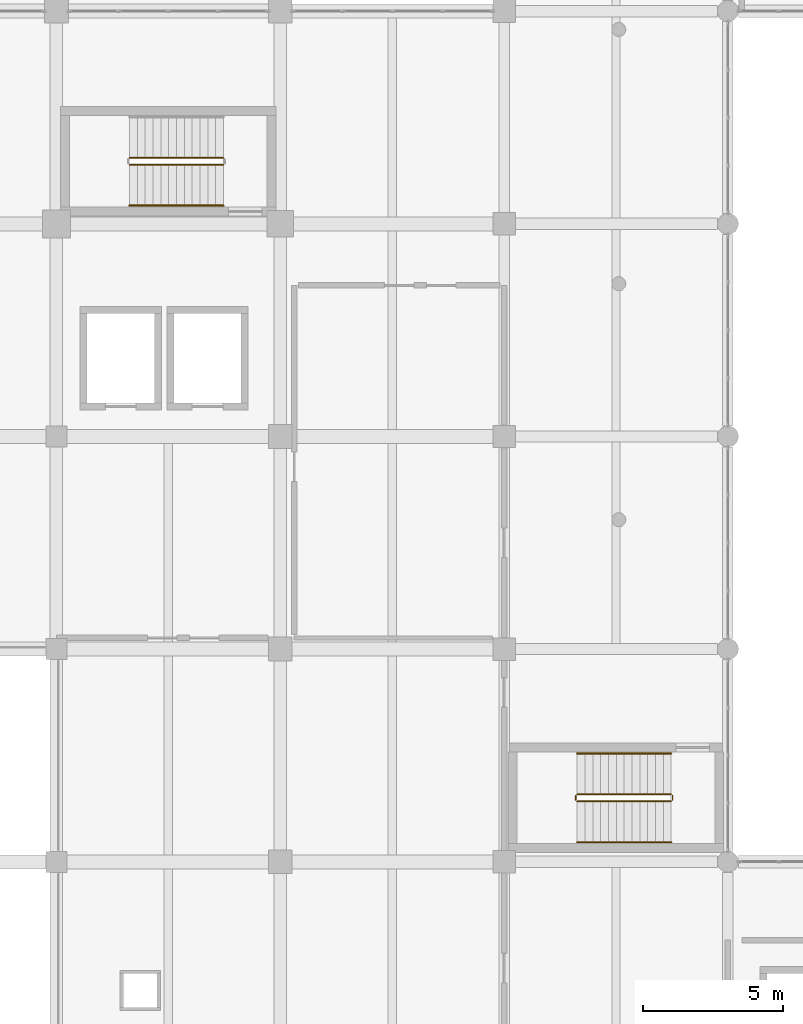
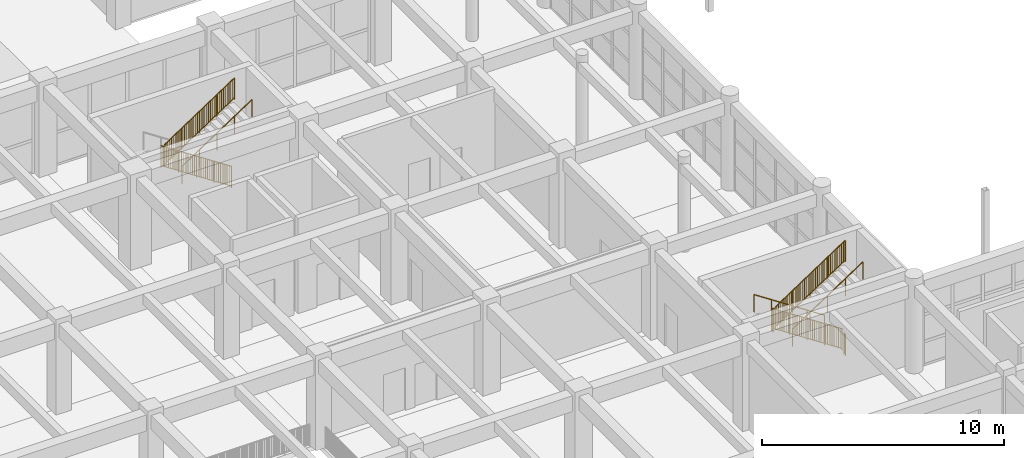
# One storey, part 95 of 101: 9 railings.
"""IFC4 building model written with IfcOpenShell, lengths in metres."""

from ifc_helpers import new_model, si_unit, direction, frame, origin, origin_2d, place, context, subcontext, project, spatial, rectangle, circle, extrude, material, type_object, element, save


model = new_model("IFC4")

# Units and contexts
model_context = context("Model", 3, precision=1e-05, world=origin(), true_north=direction((0.0, 1.0)))
body_context = subcontext(model_context, "Body", "Model", "MODEL_VIEW")
ifc_project = project(units=[si_unit("LENGTHUNIT", "METRE"), si_unit("AREAUNIT", "SQUARE_METRE"), si_unit("VOLUMEUNIT", "CUBIC_METRE"), si_unit("PLANEANGLEUNIT", "RADIAN"), si_unit("MASSUNIT", "GRAM", prefix="KILO")], contexts=[model_context])

# Site, building, storey
site_placement = place(None, origin())
site = spatial("IfcSite", under=ifc_project, at=site_placement, CompositionType="ELEMENT")
building_placement = place(site_placement, origin())
building = spatial("IfcBuilding", under=site, at=building_placement, Name="Zantavel Square City Hall", CompositionType="ELEMENT")
storey_placement = place(building_placement, frame((0.0, 0.0, 5.39990234375)))
storey = spatial("IfcBuildingStorey", under=building, at=storey_placement, Name="L02", CompositionType="ELEMENT", Elevation=5.39990234375)

# Railings
ifc_material_1 = material(Name="Steel ASTM A500 Grade B", Category="steel")
railing_type_1 = type_object("IfcRailingType", Name="Atrium & Gallery Steel Guard Railing 1100mm", PredefinedType="GUARDRAIL", material=ifc_material_1)
railing_1_placement = place(storey_placement, frame((117.969970703125, 40.409912109375, 0.184814453125)))
element("IfcRailing", 1, at=railing_1_placement, inside=storey, type_object=railing_type_1, Name="L02 ST4 stair guard 1", PredefinedType="GUARDRAIL", context=body_context, shape_type="SweptSolid", body=[
    extrude(circle(Radius=0.02392578125, at=origin_2d()), frame((0.0, 0.0, 1.076171875), z_axis=(-0.834858096282, 0.0, 0.550465220583), x_axis=(0.0, -1.0, 0.0)), (0.0, 0.0, 1.0), 4.0244140625),
    extrude(rectangle(XDim=0.031982421875, YDim=0.031982421875, at=origin_2d()), frame((0.0, 0.0, 0.080078125), z_axis=(-0.834858096282, 0.0, 0.550465220583), x_axis=(0.0, -1.0, 0.0)), (0.0, 0.0, 1.0), 4.0244140625),
    extrude(rectangle(XDim=0.02197265625, YDim=0.02197265625, at=origin_2d()), frame((-0.08837890625, 0.0, 0.13818359375)), (0.0, 0.0, 1.0), 0.971923828125),
    extrude(rectangle(XDim=0.02197265625, YDim=0.02197265625, at=origin_2d()), frame((-0.1767578125, 0.0, 0.196533203125)), (0.0, 0.0, 1.0), 0.971923828125),
    extrude(rectangle(XDim=0.02197265625, YDim=0.02197265625, at=origin_2d()), frame((-0.26513671875, 0.0, 0.2548828125)), (0.0, 0.0, 1.0), 0.971923828125),
    extrude(rectangle(XDim=0.02197265625, YDim=0.02197265625, at=origin_2d()), frame((-0.353759765625, 0.0, 0.313232421875)), (0.0, 0.0, 1.0), 0.971923828125),
    extrude(rectangle(XDim=0.02197265625, YDim=0.02197265625, at=origin_2d()), frame((-0.442138671875, 0.0, 0.37158203125)), (0.0, 0.0, 1.0), 0.971923828125),
    extrude(rectangle(XDim=0.02197265625, YDim=0.02197265625, at=origin_2d()), frame((-0.530517578125, 0.0, 0.4296875)), (0.0, 0.0, 1.0), 0.971923828125),
    extrude(rectangle(XDim=0.02197265625, YDim=0.02197265625, at=origin_2d()), frame((-0.618896484375, 0.0, 0.488037109375)), (0.0, 0.0, 1.0), 0.971923828125),
    extrude(rectangle(XDim=0.02197265625, YDim=0.02197265625, at=origin_2d()), frame((-0.707275390625, 0.0, 0.54638671875)), (0.0, 0.0, 1.0), 0.971923828125),
    extrude(rectangle(XDim=0.02197265625, YDim=0.02197265625, at=origin_2d()), frame((-0.795654296875, 0.0, 0.604736328125)), (0.0, 0.0, 1.0), 0.971923828125),
    extrude(rectangle(XDim=0.02197265625, YDim=0.02197265625, at=origin_2d()), frame((-0.88427734375, 0.0, 0.6630859375)), (0.0, 0.0, 1.0), 0.971923828125),
    extrude(rectangle(XDim=0.02197265625, YDim=0.02197265625, at=origin_2d()), frame((-0.97265625, 0.0, 0.72119140625)), (0.0, 0.0, 1.0), 0.971923828125),
    extrude(rectangle(XDim=0.02197265625, YDim=0.02197265625, at=origin_2d()), frame((-1.06103515625, 0.0, 0.779541015625)), (0.0, 0.0, 1.0), 0.971923828125),
    extrude(rectangle(XDim=0.02197265625, YDim=0.02197265625, at=origin_2d()), frame((-1.1494140625, 0.0, 0.837890625)), (0.0, 0.0, 1.0), 0.971923828125),
    extrude(rectangle(XDim=0.02197265625, YDim=0.02197265625, at=origin_2d()), frame((-1.23779296875, 0.0, 0.896240234375)), (0.0, 0.0, 1.0), 0.971923828125),
    extrude(rectangle(XDim=0.02197265625, YDim=0.02197265625, at=origin_2d()), frame((-1.326171875, 0.0, 0.95458984375)), (0.0, 0.0, 1.0), 0.971923828125),
    extrude(rectangle(XDim=0.02197265625, YDim=0.02197265625, at=origin_2d()), frame((-1.414794921875, 0.0, 1.0126953125)), (0.0, 0.0, 1.0), 0.971923828125),
    extrude(rectangle(XDim=0.02197265625, YDim=0.02197265625, at=origin_2d()), frame((-1.503173828125, 0.0, 1.071044921875)), (0.0, 0.0, 1.0), 0.971923828125),
    extrude(rectangle(XDim=0.02197265625, YDim=0.02197265625, at=origin_2d()), frame((-1.591552734375, 0.0, 1.12939453125)), (0.0, 0.0, 1.0), 0.971923828125),
    extrude(rectangle(XDim=0.02197265625, YDim=0.02197265625, at=origin_2d()), frame((-1.768310546875, 0.0, 1.245849609375)), (0.0, 0.0, 1.0), 0.971923828125),
    extrude(rectangle(XDim=0.02197265625, YDim=0.02197265625, at=origin_2d()), frame((-1.856689453125, 0.0, 1.30419921875)), (0.0, 0.0, 1.0), 0.971923828125),
    extrude(rectangle(XDim=0.02197265625, YDim=0.02197265625, at=origin_2d()), frame((-1.945068359375, 0.0, 1.362548828125)), (0.0, 0.0, 1.0), 0.971923828125),
    extrude(rectangle(XDim=0.02197265625, YDim=0.02197265625, at=origin_2d()), frame((-2.03369140625, 0.0, 1.4208984375)), (0.0, 0.0, 1.0), 0.971923828125),
    extrude(rectangle(XDim=0.02197265625, YDim=0.02197265625, at=origin_2d()), frame((-2.1220703125, 0.0, 1.479248046875)), (0.0, 0.0, 1.0), 0.971923828125),
    extrude(rectangle(XDim=0.02197265625, YDim=0.02197265625, at=origin_2d()), frame((-2.21044921875, 0.0, 1.537353515625)), (0.0, 0.0, 1.0), 0.971923828125),
    extrude(rectangle(XDim=0.02197265625, YDim=0.02197265625, at=origin_2d()), frame((-2.298828125, 0.0, 1.595703125)), (0.0, 0.0, 1.0), 0.971923828125),
    extrude(rectangle(XDim=0.02197265625, YDim=0.02197265625, at=origin_2d()), frame((-2.38720703125, 0.0, 1.654052734375)), (0.0, 0.0, 1.0), 0.971923828125),
    extrude(rectangle(XDim=0.02197265625, YDim=0.02197265625, at=origin_2d()), frame((-2.4755859375, 0.0, 1.71240234375)), (0.0, 0.0, 1.0), 0.971923828125),
    extrude(rectangle(XDim=0.02197265625, YDim=0.02197265625, at=origin_2d()), frame((-2.564208984375, 0.0, 1.770751953125)), (0.0, 0.0, 1.0), 0.971923828125),
    extrude(rectangle(XDim=0.02197265625, YDim=0.02197265625, at=origin_2d()), frame((-2.652587890625, 0.0, 1.828857421875)), (0.0, 0.0, 1.0), 0.971923828125),
    extrude(rectangle(XDim=0.02197265625, YDim=0.02197265625, at=origin_2d()), frame((-2.740966796875, 0.0, 1.88720703125)), (0.0, 0.0, 1.0), 0.971923828125),
    extrude(rectangle(XDim=0.02197265625, YDim=0.02197265625, at=origin_2d()), frame((-2.829345703125, 0.0, 1.945556640625)), (0.0, 0.0, 1.0), 0.971923828125),
    extrude(rectangle(XDim=0.02197265625, YDim=0.02197265625, at=origin_2d()), frame((-2.917724609375, 0.0, 2.00390625)), (0.0, 0.0, 1.0), 0.971923828125),
    extrude(rectangle(XDim=0.02197265625, YDim=0.02197265625, at=origin_2d()), frame((-3.006103515625, 0.0, 2.062255859375)), (0.0, 0.0, 1.0), 0.971923828125),
    extrude(rectangle(XDim=0.02197265625, YDim=0.02197265625, at=origin_2d()), frame((-3.0947265625, 0.0, 2.120361328125)), (0.0, 0.0, 1.0), 0.971923828125),
    extrude(rectangle(XDim=0.02197265625, YDim=0.02197265625, at=origin_2d()), frame((-3.18310546875, 0.0, 2.1787109375)), (0.0, 0.0, 1.0), 0.971923828125),
    extrude(rectangle(XDim=0.02197265625, YDim=0.02197265625, at=origin_2d()), frame((-3.271484375, 0.0, 2.237060546875)), (0.0, 0.0, 1.0), 0.971923828125),
    extrude(circle(Radius=0.02099609375, at=origin_2d()), origin(), (0.0, 0.0, 1.0), 1.052001953125),
    extrude(circle(Radius=0.02099609375, at=origin_2d()), frame((-0.83984375, 0.0, 0.5537109375)), (0.0, 0.0, 1.0), 1.052001953125),
    extrude(circle(Radius=0.02099609375, at=origin_2d()), frame((-1.679931640625, 0.0, 1.107666015625)), (0.0, 0.0, 1.0), 1.052001953125),
    extrude(circle(Radius=0.02099609375, at=origin_2d()), frame((-2.52001953125, 0.0, 1.66162109375)), (0.0, 0.0, 1.0), 1.052001953125),
    extrude(circle(Radius=0.02099609375, at=origin_2d()), frame((-3.35986328125, 0.0, 2.21533203125)), (0.0, 0.0, 1.0), 1.052001953125),
])
railing_2_placement = place(storey_placement, frame((114.56005859375, 40.360107421875, 2.400146484375)))
element("IfcRailing", 2, at=railing_2_placement, inside=storey, type_object=railing_type_1, Name="L02 ST4 stair guard 2", PredefinedType="GUARDRAIL", context=body_context, shape_type="SweptSolid", body=[
    extrude(circle(Radius=0.02392578125, at=origin_2d()), frame((0.0, 0.0, 1.076171875), z_axis=(0.0, -1.0, 0.0), x_axis=(1.0, 0.0, 0.0)), (0.0, 0.0, 1.0), 0.150146484375),
    extrude(rectangle(XDim=0.031982421875, YDim=0.031982421875, at=origin_2d()), frame((0.0, 0.0, 0.080078125), z_axis=(0.0, -1.0, 0.0), x_axis=(1.0, 0.0, 0.0)), (0.0, 0.0, 1.0), 0.150146484375),
    extrude(rectangle(XDim=0.02197265625, YDim=0.02197265625, at=origin_2d()), frame((0.0, -0.0751953125, 0.080078125)), (0.0, 0.0, 1.0), 0.971923828125),
    extrude(circle(Radius=0.02099609375, at=origin_2d()), origin(), (0.0, 0.0, 1.0), 1.052001953125),
    extrude(circle(Radius=0.02099609375, at=origin_2d()), frame((0.0, -0.150146484375, 0.0)), (0.0, 0.0, 1.0), 1.052001953125),
])
railing_3_placement = place(storey_placement, frame((114.610107421875, 40.159912109375, 2.584716796875)))
element("IfcRailing", 3, at=railing_3_placement, inside=storey, type_object=railing_type_1, Name="L02 ST4 stair guard 3", PredefinedType="GUARDRAIL", context=body_context, shape_type="SweptSolid", body=[
    extrude(circle(Radius=0.02392578125, at=origin_2d()), frame((0.0, 0.0, 1.076171875), z_axis=(0.834858096282, 0.0, 0.550465220583), x_axis=(0.0, 1.0, 0.0)), (0.0, 0.0, 1.0), 4.0244140625),
    extrude(rectangle(XDim=0.031982421875, YDim=0.031982421875, at=origin_2d()), frame((0.0, 0.0, 0.080078125), z_axis=(0.834858096282, 0.0, 0.550465220583), x_axis=(0.0, 1.0, 0.0)), (0.0, 0.0, 1.0), 4.0244140625),
    extrude(rectangle(XDim=0.02197265625, YDim=0.02197265625, at=origin_2d()), frame((0.08837890625, 0.0, 0.13818359375)), (0.0, 0.0, 1.0), 0.971923828125),
    extrude(rectangle(XDim=0.02197265625, YDim=0.02197265625, at=origin_2d()), frame((0.1767578125, 0.0, 0.196533203125)), (0.0, 0.0, 1.0), 0.971923828125),
    extrude(rectangle(XDim=0.02197265625, YDim=0.02197265625, at=origin_2d()), frame((0.26513671875, 0.0, 0.2548828125)), (0.0, 0.0, 1.0), 0.971923828125),
    extrude(rectangle(XDim=0.02197265625, YDim=0.02197265625, at=origin_2d()), frame((0.353759765625, 0.0, 0.313232421875)), (0.0, 0.0, 1.0), 0.971923828125),
    extrude(rectangle(XDim=0.02197265625, YDim=0.02197265625, at=origin_2d()), frame((0.442138671875, 0.0, 0.37158203125)), (0.0, 0.0, 1.0), 0.971923828125),
    extrude(rectangle(XDim=0.02197265625, YDim=0.02197265625, at=origin_2d()), frame((0.530517578125, 0.0, 0.4296875)), (0.0, 0.0, 1.0), 0.971923828125),
    extrude(rectangle(XDim=0.02197265625, YDim=0.02197265625, at=origin_2d()), frame((0.618896484375, 0.0, 0.488037109375)), (0.0, 0.0, 1.0), 0.971923828125),
    extrude(rectangle(XDim=0.02197265625, YDim=0.02197265625, at=origin_2d()), frame((0.707275390625, 0.0, 0.54638671875)), (0.0, 0.0, 1.0), 0.971923828125),
    extrude(rectangle(XDim=0.02197265625, YDim=0.02197265625, at=origin_2d()), frame((0.795654296875, 0.0, 0.604736328125)), (0.0, 0.0, 1.0), 0.971923828125),
    extrude(rectangle(XDim=0.02197265625, YDim=0.02197265625, at=origin_2d()), frame((0.88427734375, 0.0, 0.6630859375)), (0.0, 0.0, 1.0), 0.971923828125),
    extrude(rectangle(XDim=0.02197265625, YDim=0.02197265625, at=origin_2d()), frame((0.97265625, 0.0, 0.72119140625)), (0.0, 0.0, 1.0), 0.971923828125),
    extrude(rectangle(XDim=0.02197265625, YDim=0.02197265625, at=origin_2d()), frame((1.06103515625, 0.0, 0.779541015625)), (0.0, 0.0, 1.0), 0.971923828125),
    extrude(rectangle(XDim=0.02197265625, YDim=0.02197265625, at=origin_2d()), frame((1.1494140625, 0.0, 0.837890625)), (0.0, 0.0, 1.0), 0.971923828125),
    extrude(rectangle(XDim=0.02197265625, YDim=0.02197265625, at=origin_2d()), frame((1.23779296875, 0.0, 0.896240234375)), (0.0, 0.0, 1.0), 0.971923828125),
    extrude(rectangle(XDim=0.02197265625, YDim=0.02197265625, at=origin_2d()), frame((1.326171875, 0.0, 0.95458984375)), (0.0, 0.0, 1.0), 0.971923828125),
    extrude(rectangle(XDim=0.02197265625, YDim=0.02197265625, at=origin_2d()), frame((1.414794921875, 0.0, 1.0126953125)), (0.0, 0.0, 1.0), 0.971923828125),
    extrude(rectangle(XDim=0.02197265625, YDim=0.02197265625, at=origin_2d()), frame((1.503173828125, 0.0, 1.071044921875)), (0.0, 0.0, 1.0), 0.971923828125),
    extrude(rectangle(XDim=0.02197265625, YDim=0.02197265625, at=origin_2d()), frame((1.591552734375, 0.0, 1.12939453125)), (0.0, 0.0, 1.0), 0.971923828125),
    extrude(rectangle(XDim=0.02197265625, YDim=0.02197265625, at=origin_2d()), frame((1.768310546875, 0.0, 1.245849609375)), (0.0, 0.0, 1.0), 0.971923828125),
    extrude(rectangle(XDim=0.02197265625, YDim=0.02197265625, at=origin_2d()), frame((1.856689453125, 0.0, 1.30419921875)), (0.0, 0.0, 1.0), 0.971923828125),
    extrude(rectangle(XDim=0.02197265625, YDim=0.02197265625, at=origin_2d()), frame((1.945068359375, 0.0, 1.362548828125)), (0.0, 0.0, 1.0), 0.971923828125),
    extrude(rectangle(XDim=0.02197265625, YDim=0.02197265625, at=origin_2d()), frame((2.03369140625, 0.0, 1.4208984375)), (0.0, 0.0, 1.0), 0.971923828125),
    extrude(rectangle(XDim=0.02197265625, YDim=0.02197265625, at=origin_2d()), frame((2.1220703125, 0.0, 1.479248046875)), (0.0, 0.0, 1.0), 0.971923828125),
    extrude(rectangle(XDim=0.02197265625, YDim=0.02197265625, at=origin_2d()), frame((2.21044921875, 0.0, 1.537353515625)), (0.0, 0.0, 1.0), 0.971923828125),
    extrude(rectangle(XDim=0.02197265625, YDim=0.02197265625, at=origin_2d()), frame((2.298828125, 0.0, 1.595703125)), (0.0, 0.0, 1.0), 0.971923828125),
    extrude(rectangle(XDim=0.02197265625, YDim=0.02197265625, at=origin_2d()), frame((2.38720703125, 0.0, 1.654052734375)), (0.0, 0.0, 1.0), 0.971923828125),
    extrude(rectangle(XDim=0.02197265625, YDim=0.02197265625, at=origin_2d()), frame((2.4755859375, 0.0, 1.71240234375)), (0.0, 0.0, 1.0), 0.971923828125),
    extrude(rectangle(XDim=0.02197265625, YDim=0.02197265625, at=origin_2d()), frame((2.564208984375, 0.0, 1.770751953125)), (0.0, 0.0, 1.0), 0.971923828125),
    extrude(rectangle(XDim=0.02197265625, YDim=0.02197265625, at=origin_2d()), frame((2.652587890625, 0.0, 1.828857421875)), (0.0, 0.0, 1.0), 0.971923828125),
    extrude(rectangle(XDim=0.02197265625, YDim=0.02197265625, at=origin_2d()), frame((2.740966796875, 0.0, 1.88720703125)), (0.0, 0.0, 1.0), 0.971923828125),
    extrude(rectangle(XDim=0.02197265625, YDim=0.02197265625, at=origin_2d()), frame((2.829345703125, 0.0, 1.945556640625)), (0.0, 0.0, 1.0), 0.971923828125),
    extrude(rectangle(XDim=0.02197265625, YDim=0.02197265625, at=origin_2d()), frame((2.917724609375, 0.0, 2.00390625)), (0.0, 0.0, 1.0), 0.971923828125),
    extrude(rectangle(XDim=0.02197265625, YDim=0.02197265625, at=origin_2d()), frame((3.006103515625, 0.0, 2.062255859375)), (0.0, 0.0, 1.0), 0.971923828125),
    extrude(rectangle(XDim=0.02197265625, YDim=0.02197265625, at=origin_2d()), frame((3.0947265625, 0.0, 2.120361328125)), (0.0, 0.0, 1.0), 0.971923828125),
    extrude(rectangle(XDim=0.02197265625, YDim=0.02197265625, at=origin_2d()), frame((3.18310546875, 0.0, 2.1787109375)), (0.0, 0.0, 1.0), 0.971923828125),
    extrude(rectangle(XDim=0.02197265625, YDim=0.02197265625, at=origin_2d()), frame((3.271484375, 0.0, 2.237060546875)), (0.0, 0.0, 1.0), 0.971923828125),
    extrude(circle(Radius=0.02099609375, at=origin_2d()), origin(), (0.0, 0.0, 1.0), 1.052001953125),
    extrude(circle(Radius=0.02099609375, at=origin_2d()), frame((0.83984375, 0.0, 0.5537109375)), (0.0, 0.0, 1.0), 1.052001953125),
    extrude(circle(Radius=0.02099609375, at=origin_2d()), frame((1.679931640625, 0.0, 1.107666015625)), (0.0, 0.0, 1.0), 1.052001953125),
    extrude(circle(Radius=0.02099609375, at=origin_2d()), frame((2.52001953125, 0.0, 1.66162109375)), (0.0, 0.0, 1.0), 1.052001953125),
    extrude(circle(Radius=0.02099609375, at=origin_2d()), frame((3.35986328125, 0.0, 2.21533203125)), (0.0, 0.0, 1.0), 1.052001953125),
])
railing_4_placement = place(storey_placement, frame((118.02001953125, 40.360107421875, 0.0)))
element("IfcRailing", 4, at=railing_4_placement, inside=storey, type_object=railing_type_1, Name="L02 ST4 stair guard 4", PredefinedType="GUARDRAIL", context=body_context, shape_type="SweptSolid", body=[
    extrude(circle(Radius=0.02392578125, at=origin_2d()), frame((0.0, 0.0, 1.076171875), z_axis=(0.0, -1.0, 0.0), x_axis=(1.0, 0.0, 0.0)), (0.0, 0.0, 1.0), 0.150146484375),
    extrude(rectangle(XDim=0.031982421875, YDim=0.031982421875, at=origin_2d()), frame((0.0, 0.0, 0.080078125), z_axis=(0.0, -1.0, 0.0), x_axis=(1.0, 0.0, 0.0)), (0.0, 0.0, 1.0), 0.150146484375),
    extrude(rectangle(XDim=0.02197265625, YDim=0.02197265625, at=origin_2d()), frame((0.0, -0.0751953125, 0.080078125)), (0.0, 0.0, 1.0), 0.971923828125),
    extrude(circle(Radius=0.02099609375, at=origin_2d()), origin(), (0.0, 0.0, 1.0), 1.052001953125),
    extrude(circle(Radius=0.02099609375, at=origin_2d()), frame((0.0, -0.150146484375, 0.0)), (0.0, 0.0, 1.0), 1.052001953125),
])
railing_5_placement = place(storey_placement, frame((101.969970703125, 63.159912109375, 0.184814453125)))
element("IfcRailing", 5, at=railing_5_placement, inside=storey, type_object=railing_type_1, Name="L02 ST6 stair guard 1", PredefinedType="GUARDRAIL", context=body_context, shape_type="SweptSolid", body=[
    extrude(circle(Radius=0.02392578125, at=origin_2d()), frame((0.0, 0.0, 1.076171875), z_axis=(-0.834858096282, 0.0, 0.550465220583), x_axis=(0.0, -1.0, 0.0)), (0.0, 0.0, 1.0), 4.0244140625),
    extrude(rectangle(XDim=0.031982421875, YDim=0.031982421875, at=origin_2d()), frame((0.0, 0.0, 0.080078125), z_axis=(-0.834858096282, 0.0, 0.550465220583), x_axis=(0.0, -1.0, 0.0)), (0.0, 0.0, 1.0), 4.0244140625),
    extrude(rectangle(XDim=0.02197265625, YDim=0.02197265625, at=origin_2d()), frame((-0.08837890625, 0.0, 0.13818359375)), (0.0, 0.0, 1.0), 0.971923828125),
    extrude(rectangle(XDim=0.02197265625, YDim=0.02197265625, at=origin_2d()), frame((-0.1767578125, 0.0, 0.196533203125)), (0.0, 0.0, 1.0), 0.971923828125),
    extrude(rectangle(XDim=0.02197265625, YDim=0.02197265625, at=origin_2d()), frame((-0.26513671875, 0.0, 0.2548828125)), (0.0, 0.0, 1.0), 0.971923828125),
    extrude(rectangle(XDim=0.02197265625, YDim=0.02197265625, at=origin_2d()), frame((-0.353759765625, 0.0, 0.313232421875)), (0.0, 0.0, 1.0), 0.971923828125),
    extrude(rectangle(XDim=0.02197265625, YDim=0.02197265625, at=origin_2d()), frame((-0.442138671875, 0.0, 0.37158203125)), (0.0, 0.0, 1.0), 0.971923828125),
    extrude(rectangle(XDim=0.02197265625, YDim=0.02197265625, at=origin_2d()), frame((-0.530517578125, 0.0, 0.4296875)), (0.0, 0.0, 1.0), 0.971923828125),
    extrude(rectangle(XDim=0.02197265625, YDim=0.02197265625, at=origin_2d()), frame((-0.618896484375, 0.0, 0.488037109375)), (0.0, 0.0, 1.0), 0.971923828125),
    extrude(rectangle(XDim=0.02197265625, YDim=0.02197265625, at=origin_2d()), frame((-0.707275390625, 0.0, 0.54638671875)), (0.0, 0.0, 1.0), 0.971923828125),
    extrude(rectangle(XDim=0.02197265625, YDim=0.02197265625, at=origin_2d()), frame((-0.795654296875, 0.0, 0.604736328125)), (0.0, 0.0, 1.0), 0.971923828125),
    extrude(rectangle(XDim=0.02197265625, YDim=0.02197265625, at=origin_2d()), frame((-0.88427734375, 0.0, 0.6630859375)), (0.0, 0.0, 1.0), 0.971923828125),
    extrude(rectangle(XDim=0.02197265625, YDim=0.02197265625, at=origin_2d()), frame((-0.97265625, 0.0, 0.72119140625)), (0.0, 0.0, 1.0), 0.971923828125),
    extrude(rectangle(XDim=0.02197265625, YDim=0.02197265625, at=origin_2d()), frame((-1.06103515625, 0.0, 0.779541015625)), (0.0, 0.0, 1.0), 0.971923828125),
    extrude(rectangle(XDim=0.02197265625, YDim=0.02197265625, at=origin_2d()), frame((-1.1494140625, 0.0, 0.837890625)), (0.0, 0.0, 1.0), 0.971923828125),
    extrude(rectangle(XDim=0.02197265625, YDim=0.02197265625, at=origin_2d()), frame((-1.23779296875, 0.0, 0.896240234375)), (0.0, 0.0, 1.0), 0.971923828125),
    extrude(rectangle(XDim=0.02197265625, YDim=0.02197265625, at=origin_2d()), frame((-1.326171875, 0.0, 0.95458984375)), (0.0, 0.0, 1.0), 0.971923828125),
    extrude(rectangle(XDim=0.02197265625, YDim=0.02197265625, at=origin_2d()), frame((-1.414794921875, 0.0, 1.0126953125)), (0.0, 0.0, 1.0), 0.971923828125),
    extrude(rectangle(XDim=0.02197265625, YDim=0.02197265625, at=origin_2d()), frame((-1.503173828125, 0.0, 1.071044921875)), (0.0, 0.0, 1.0), 0.971923828125),
    extrude(rectangle(XDim=0.02197265625, YDim=0.02197265625, at=origin_2d()), frame((-1.591552734375, 0.0, 1.12939453125)), (0.0, 0.0, 1.0), 0.971923828125),
    extrude(rectangle(XDim=0.02197265625, YDim=0.02197265625, at=origin_2d()), frame((-1.768310546875, 0.0, 1.245849609375)), (0.0, 0.0, 1.0), 0.971923828125),
    extrude(rectangle(XDim=0.02197265625, YDim=0.02197265625, at=origin_2d()), frame((-1.856689453125, 0.0, 1.30419921875)), (0.0, 0.0, 1.0), 0.971923828125),
    extrude(rectangle(XDim=0.02197265625, YDim=0.02197265625, at=origin_2d()), frame((-1.945068359375, 0.0, 1.362548828125)), (0.0, 0.0, 1.0), 0.971923828125),
    extrude(rectangle(XDim=0.02197265625, YDim=0.02197265625, at=origin_2d()), frame((-2.03369140625, 0.0, 1.4208984375)), (0.0, 0.0, 1.0), 0.971923828125),
    extrude(rectangle(XDim=0.02197265625, YDim=0.02197265625, at=origin_2d()), frame((-2.1220703125, 0.0, 1.479248046875)), (0.0, 0.0, 1.0), 0.971923828125),
    extrude(rectangle(XDim=0.02197265625, YDim=0.02197265625, at=origin_2d()), frame((-2.21044921875, 0.0, 1.537353515625)), (0.0, 0.0, 1.0), 0.971923828125),
    extrude(rectangle(XDim=0.02197265625, YDim=0.02197265625, at=origin_2d()), frame((-2.298828125, 0.0, 1.595703125)), (0.0, 0.0, 1.0), 0.971923828125),
    extrude(rectangle(XDim=0.02197265625, YDim=0.02197265625, at=origin_2d()), frame((-2.38720703125, 0.0, 1.654052734375)), (0.0, 0.0, 1.0), 0.971923828125),
    extrude(rectangle(XDim=0.02197265625, YDim=0.02197265625, at=origin_2d()), frame((-2.4755859375, 0.0, 1.71240234375)), (0.0, 0.0, 1.0), 0.971923828125),
    extrude(rectangle(XDim=0.02197265625, YDim=0.02197265625, at=origin_2d()), frame((-2.564208984375, 0.0, 1.770751953125)), (0.0, 0.0, 1.0), 0.971923828125),
    extrude(rectangle(XDim=0.02197265625, YDim=0.02197265625, at=origin_2d()), frame((-2.652587890625, 0.0, 1.828857421875)), (0.0, 0.0, 1.0), 0.971923828125),
    extrude(rectangle(XDim=0.02197265625, YDim=0.02197265625, at=origin_2d()), frame((-2.740966796875, 0.0, 1.88720703125)), (0.0, 0.0, 1.0), 0.971923828125),
    extrude(rectangle(XDim=0.02197265625, YDim=0.02197265625, at=origin_2d()), frame((-2.829345703125, 0.0, 1.945556640625)), (0.0, 0.0, 1.0), 0.971923828125),
    extrude(rectangle(XDim=0.02197265625, YDim=0.02197265625, at=origin_2d()), frame((-2.917724609375, 0.0, 2.00390625)), (0.0, 0.0, 1.0), 0.971923828125),
    extrude(rectangle(XDim=0.02197265625, YDim=0.02197265625, at=origin_2d()), frame((-3.006103515625, 0.0, 2.062255859375)), (0.0, 0.0, 1.0), 0.971923828125),
    extrude(rectangle(XDim=0.02197265625, YDim=0.02197265625, at=origin_2d()), frame((-3.0947265625, 0.0, 2.120361328125)), (0.0, 0.0, 1.0), 0.971923828125),
    extrude(rectangle(XDim=0.02197265625, YDim=0.02197265625, at=origin_2d()), frame((-3.18310546875, 0.0, 2.1787109375)), (0.0, 0.0, 1.0), 0.971923828125),
    extrude(rectangle(XDim=0.02197265625, YDim=0.02197265625, at=origin_2d()), frame((-3.271484375, 0.0, 2.237060546875)), (0.0, 0.0, 1.0), 0.971923828125),
    extrude(circle(Radius=0.02099609375, at=origin_2d()), origin(), (0.0, 0.0, 1.0), 1.052001953125),
    extrude(circle(Radius=0.02099609375, at=origin_2d()), frame((-0.83984375, 0.0, 0.5537109375)), (0.0, 0.0, 1.0), 1.052001953125),
    extrude(circle(Radius=0.02099609375, at=origin_2d()), frame((-1.679931640625, 0.0, 1.107666015625)), (0.0, 0.0, 1.0), 1.052001953125),
    extrude(circle(Radius=0.02099609375, at=origin_2d()), frame((-2.52001953125, 0.0, 1.66162109375)), (0.0, 0.0, 1.0), 1.052001953125),
    extrude(circle(Radius=0.02099609375, at=origin_2d()), frame((-3.35986328125, 0.0, 2.21533203125)), (0.0, 0.0, 1.0), 1.052001953125),
])
railing_6_placement = place(storey_placement, frame((98.610107421875, 62.909912109375, 2.584716796875)))
element("IfcRailing", 6, at=railing_6_placement, inside=storey, type_object=railing_type_1, Name="L02 ST6 stair guard 3", PredefinedType="GUARDRAIL", context=body_context, shape_type="SweptSolid", body=[
    extrude(circle(Radius=0.02392578125, at=origin_2d()), frame((0.0, 0.0, 1.076171875), z_axis=(0.834858096282, 0.0, 0.550465220583), x_axis=(0.0, 1.0, 0.0)), (0.0, 0.0, 1.0), 4.0244140625),
    extrude(rectangle(XDim=0.031982421875, YDim=0.031982421875, at=origin_2d()), frame((0.0, 0.0, 0.080078125), z_axis=(0.834858096282, 0.0, 0.550465220583), x_axis=(0.0, 1.0, 0.0)), (0.0, 0.0, 1.0), 4.0244140625),
    extrude(rectangle(XDim=0.02197265625, YDim=0.02197265625, at=origin_2d()), frame((0.08837890625, 0.0, 0.13818359375)), (0.0, 0.0, 1.0), 0.971923828125),
    extrude(rectangle(XDim=0.02197265625, YDim=0.02197265625, at=origin_2d()), frame((0.1767578125, 0.0, 0.196533203125)), (0.0, 0.0, 1.0), 0.971923828125),
    extrude(rectangle(XDim=0.02197265625, YDim=0.02197265625, at=origin_2d()), frame((0.26513671875, 0.0, 0.2548828125)), (0.0, 0.0, 1.0), 0.971923828125),
    extrude(rectangle(XDim=0.02197265625, YDim=0.02197265625, at=origin_2d()), frame((0.353759765625, 0.0, 0.313232421875)), (0.0, 0.0, 1.0), 0.971923828125),
    extrude(rectangle(XDim=0.02197265625, YDim=0.02197265625, at=origin_2d()), frame((0.442138671875, 0.0, 0.37158203125)), (0.0, 0.0, 1.0), 0.971923828125),
    extrude(rectangle(XDim=0.02197265625, YDim=0.02197265625, at=origin_2d()), frame((0.530517578125, 0.0, 0.4296875)), (0.0, 0.0, 1.0), 0.971923828125),
    extrude(rectangle(XDim=0.02197265625, YDim=0.02197265625, at=origin_2d()), frame((0.618896484375, 0.0, 0.488037109375)), (0.0, 0.0, 1.0), 0.971923828125),
    extrude(rectangle(XDim=0.02197265625, YDim=0.02197265625, at=origin_2d()), frame((0.707275390625, 0.0, 0.54638671875)), (0.0, 0.0, 1.0), 0.971923828125),
    extrude(rectangle(XDim=0.02197265625, YDim=0.02197265625, at=origin_2d()), frame((0.795654296875, 0.0, 0.604736328125)), (0.0, 0.0, 1.0), 0.971923828125),
    extrude(rectangle(XDim=0.02197265625, YDim=0.02197265625, at=origin_2d()), frame((0.88427734375, 0.0, 0.6630859375)), (0.0, 0.0, 1.0), 0.971923828125),
    extrude(rectangle(XDim=0.02197265625, YDim=0.02197265625, at=origin_2d()), frame((0.97265625, 0.0, 0.72119140625)), (0.0, 0.0, 1.0), 0.971923828125),
    extrude(rectangle(XDim=0.02197265625, YDim=0.02197265625, at=origin_2d()), frame((1.06103515625, 0.0, 0.779541015625)), (0.0, 0.0, 1.0), 0.971923828125),
    extrude(rectangle(XDim=0.02197265625, YDim=0.02197265625, at=origin_2d()), frame((1.1494140625, 0.0, 0.837890625)), (0.0, 0.0, 1.0), 0.971923828125),
    extrude(rectangle(XDim=0.02197265625, YDim=0.02197265625, at=origin_2d()), frame((1.23779296875, 0.0, 0.896240234375)), (0.0, 0.0, 1.0), 0.971923828125),
    extrude(rectangle(XDim=0.02197265625, YDim=0.02197265625, at=origin_2d()), frame((1.326171875, 0.0, 0.95458984375)), (0.0, 0.0, 1.0), 0.971923828125),
    extrude(rectangle(XDim=0.02197265625, YDim=0.02197265625, at=origin_2d()), frame((1.414794921875, 0.0, 1.0126953125)), (0.0, 0.0, 1.0), 0.971923828125),
    extrude(rectangle(XDim=0.02197265625, YDim=0.02197265625, at=origin_2d()), frame((1.503173828125, 0.0, 1.071044921875)), (0.0, 0.0, 1.0), 0.971923828125),
    extrude(rectangle(XDim=0.02197265625, YDim=0.02197265625, at=origin_2d()), frame((1.591552734375, 0.0, 1.12939453125)), (0.0, 0.0, 1.0), 0.971923828125),
    extrude(rectangle(XDim=0.02197265625, YDim=0.02197265625, at=origin_2d()), frame((1.768310546875, 0.0, 1.245849609375)), (0.0, 0.0, 1.0), 0.971923828125),
    extrude(rectangle(XDim=0.02197265625, YDim=0.02197265625, at=origin_2d()), frame((1.856689453125, 0.0, 1.30419921875)), (0.0, 0.0, 1.0), 0.971923828125),
    extrude(rectangle(XDim=0.02197265625, YDim=0.02197265625, at=origin_2d()), frame((1.945068359375, 0.0, 1.362548828125)), (0.0, 0.0, 1.0), 0.971923828125),
    extrude(rectangle(XDim=0.02197265625, YDim=0.02197265625, at=origin_2d()), frame((2.03369140625, 0.0, 1.4208984375)), (0.0, 0.0, 1.0), 0.971923828125),
    extrude(rectangle(XDim=0.02197265625, YDim=0.02197265625, at=origin_2d()), frame((2.1220703125, 0.0, 1.479248046875)), (0.0, 0.0, 1.0), 0.971923828125),
    extrude(rectangle(XDim=0.02197265625, YDim=0.02197265625, at=origin_2d()), frame((2.21044921875, 0.0, 1.537353515625)), (0.0, 0.0, 1.0), 0.971923828125),
    extrude(rectangle(XDim=0.02197265625, YDim=0.02197265625, at=origin_2d()), frame((2.298828125, 0.0, 1.595703125)), (0.0, 0.0, 1.0), 0.971923828125),
    extrude(rectangle(XDim=0.02197265625, YDim=0.02197265625, at=origin_2d()), frame((2.38720703125, 0.0, 1.654052734375)), (0.0, 0.0, 1.0), 0.971923828125),
    extrude(rectangle(XDim=0.02197265625, YDim=0.02197265625, at=origin_2d()), frame((2.4755859375, 0.0, 1.71240234375)), (0.0, 0.0, 1.0), 0.971923828125),
    extrude(rectangle(XDim=0.02197265625, YDim=0.02197265625, at=origin_2d()), frame((2.564208984375, 0.0, 1.770751953125)), (0.0, 0.0, 1.0), 0.971923828125),
    extrude(rectangle(XDim=0.02197265625, YDim=0.02197265625, at=origin_2d()), frame((2.652587890625, 0.0, 1.828857421875)), (0.0, 0.0, 1.0), 0.971923828125),
    extrude(rectangle(XDim=0.02197265625, YDim=0.02197265625, at=origin_2d()), frame((2.740966796875, 0.0, 1.88720703125)), (0.0, 0.0, 1.0), 0.971923828125),
    extrude(rectangle(XDim=0.02197265625, YDim=0.02197265625, at=origin_2d()), frame((2.829345703125, 0.0, 1.945556640625)), (0.0, 0.0, 1.0), 0.971923828125),
    extrude(rectangle(XDim=0.02197265625, YDim=0.02197265625, at=origin_2d()), frame((2.917724609375, 0.0, 2.00390625)), (0.0, 0.0, 1.0), 0.971923828125),
    extrude(rectangle(XDim=0.02197265625, YDim=0.02197265625, at=origin_2d()), frame((3.006103515625, 0.0, 2.062255859375)), (0.0, 0.0, 1.0), 0.971923828125),
    extrude(rectangle(XDim=0.02197265625, YDim=0.02197265625, at=origin_2d()), frame((3.0947265625, 0.0, 2.120361328125)), (0.0, 0.0, 1.0), 0.971923828125),
    extrude(rectangle(XDim=0.02197265625, YDim=0.02197265625, at=origin_2d()), frame((3.18310546875, 0.0, 2.1787109375)), (0.0, 0.0, 1.0), 0.971923828125),
    extrude(rectangle(XDim=0.02197265625, YDim=0.02197265625, at=origin_2d()), frame((3.271484375, 0.0, 2.237060546875)), (0.0, 0.0, 1.0), 0.971923828125),
    extrude(circle(Radius=0.02099609375, at=origin_2d()), origin(), (0.0, 0.0, 1.0), 1.052001953125),
    extrude(circle(Radius=0.02099609375, at=origin_2d()), frame((0.83984375, 0.0, 0.5537109375)), (0.0, 0.0, 1.0), 1.052001953125),
    extrude(circle(Radius=0.02099609375, at=origin_2d()), frame((1.679931640625, 0.0, 1.107666015625)), (0.0, 0.0, 1.0), 1.052001953125),
    extrude(circle(Radius=0.02099609375, at=origin_2d()), frame((2.52001953125, 0.0, 1.66162109375)), (0.0, 0.0, 1.0), 1.052001953125),
    extrude(circle(Radius=0.02099609375, at=origin_2d()), frame((3.35986328125, 0.0, 2.21533203125)), (0.0, 0.0, 1.0), 1.052001953125),
])
ifc_material_2 = material(Name="Stainless steel 316", Category="steel")
railing_type_2 = type_object("IfcRailingType", Name="Stair Stainless Steel Handrail 900mm", PredefinedType="HANDRAIL", material=ifc_material_2)
railing_7_placement = place(storey_placement, frame((117.969970703125, 41.8701171875, 0.184814453125)))
element("IfcRailing", 7, at=railing_7_placement, inside=storey, type_object=railing_type_2, Name="L02 ST4 stair handrail 1", PredefinedType="HANDRAIL", context=body_context, shape_type="SweptSolid", body=[
    extrude(circle(Radius=0.02392578125, at=origin_2d()), frame((0.0, 0.0, 0.8759765625), z_axis=(-0.834858096282, 0.0, 0.550465220583), x_axis=(0.0, -1.0, 0.0)), (0.0, 0.0, 1.0), 4.0244140625),
    extrude(circle(Radius=0.02099609375, at=origin_2d()), origin(), (0.0, 0.0, 1.0), 0.851806640625),
    extrude(circle(Radius=0.02099609375, at=origin_2d()), frame((-0.83984375, 0.0, 0.5537109375)), (0.0, 0.0, 1.0), 0.851806640625),
    extrude(circle(Radius=0.02099609375, at=origin_2d()), frame((-1.679931640625, 0.0, 1.107666015625)), (0.0, 0.0, 1.0), 0.851806640625),
    extrude(circle(Radius=0.02099609375, at=origin_2d()), frame((-2.52001953125, 0.0, 1.66162109375)), (0.0, 0.0, 1.0), 0.851806640625),
    extrude(circle(Radius=0.02099609375, at=origin_2d()), frame((-3.35986328125, 0.0, 2.21533203125)), (0.0, 0.0, 1.0), 0.851806640625),
])
for number, where, name in (
    (8, (114.610107421875, 38.699951171875, 2.584716796875), "L02 ST4 stair handrail 2"),
    (9, (98.610107421875, 61.449951171875, 2.584716796875), "L02 ST6 stair handrail 2"),
):
    element("IfcRailing", number, at=place(storey_placement, frame(where)), inside=storey, type_object=railing_type_2, Name=name, PredefinedType="HANDRAIL", context=body_context, shape_type="SweptSolid", body=[
        extrude(circle(Radius=0.02392578125, at=origin_2d()), frame((0.0, 0.0, 0.8759765625), z_axis=(0.834858096282, 0.0, 0.550465220583), x_axis=(0.0, 1.0, 0.0)), (0.0, 0.0, 1.0), 4.0244140625),
        extrude(circle(Radius=0.02099609375, at=origin_2d()), origin(), (0.0, 0.0, 1.0), 0.851806640625),
        extrude(circle(Radius=0.02099609375, at=origin_2d()), frame((0.83984375, 0.0, 0.5537109375)), (0.0, 0.0, 1.0), 0.851806640625),
        extrude(circle(Radius=0.02099609375, at=origin_2d()), frame((1.679931640625, 0.0, 1.107666015625)), (0.0, 0.0, 1.0), 0.851806640625),
        extrude(circle(Radius=0.02099609375, at=origin_2d()), frame((2.52001953125, 0.0, 1.66162109375)), (0.0, 0.0, 1.0), 0.851806640625),
        extrude(circle(Radius=0.02099609375, at=origin_2d()), frame((3.35986328125, 0.0, 2.21533203125)), (0.0, 0.0, 1.0), 0.851806640625),
    ])

save(model, "model.ifc")
